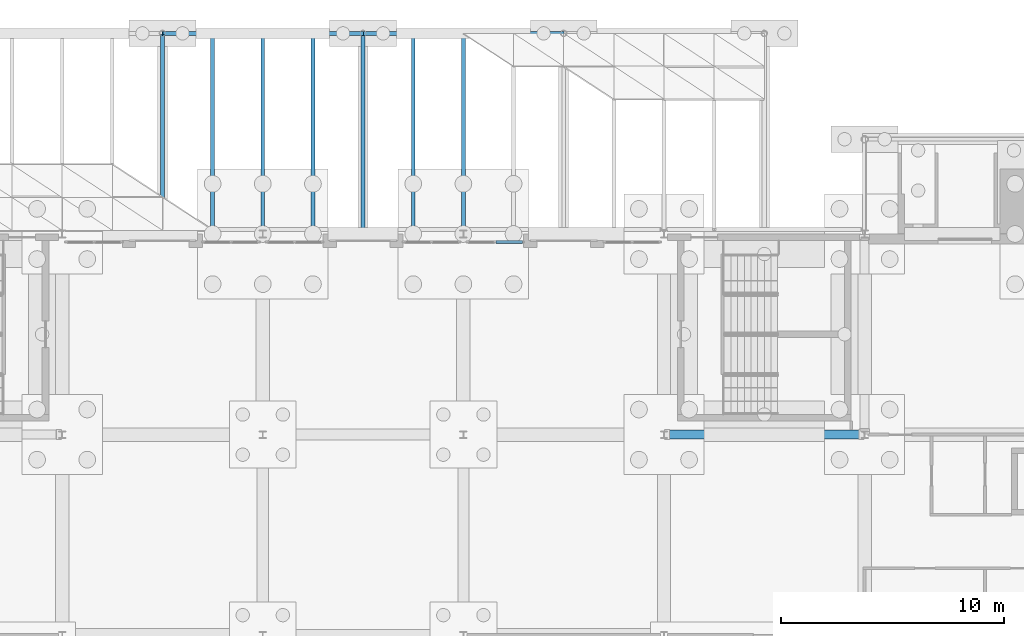
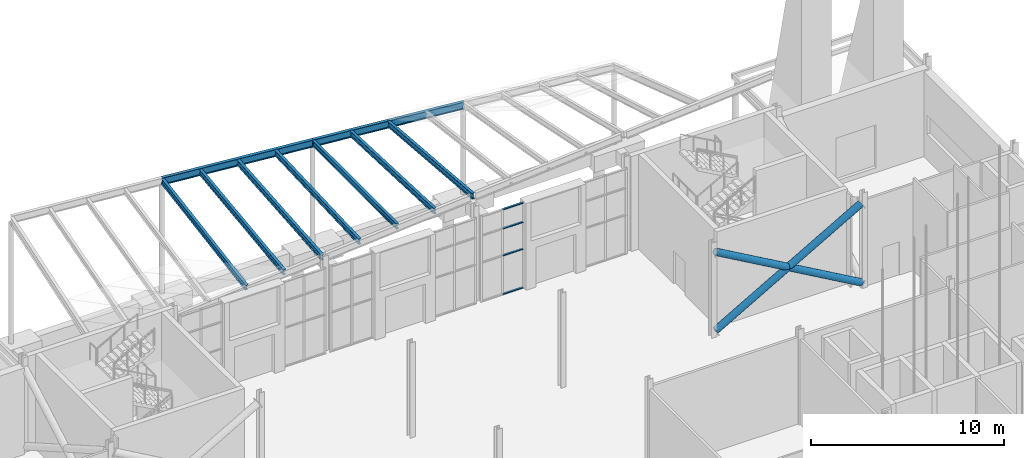
# One storey, part 75 of 139: 9 beams, 6 members, 1 element without a shape of its own.
"""IFC4 building model written with IfcOpenShell, lengths in metres."""

from ifc_helpers import new_model, si_unit, direction, frame, origin, origin_2d, place, context, subcontext, project, spatial, hollow_rectangle, hollow_circle, i_section, extrude, material, layer, layer_set, material_profile, profile_set, type_object, element, aggregate, save


model = new_model("IFC4")

# Units and contexts
model_context = context("Model", 3, precision=1e-05, world=origin(), true_north=direction((0.0, 1.0)))
body_context = subcontext(model_context, "Body", "Model", "MODEL_VIEW")
ifc_project = project(units=[si_unit("LENGTHUNIT", "METRE"), si_unit("AREAUNIT", "SQUARE_METRE"), si_unit("VOLUMEUNIT", "CUBIC_METRE"), si_unit("PLANEANGLEUNIT", "RADIAN"), si_unit("MASSUNIT", "GRAM", prefix="KILO")], contexts=[model_context])

# Site, building, storey
site_placement = place(None, origin())
site = spatial("IfcSite", under=ifc_project, at=site_placement, CompositionType="ELEMENT")
building_placement = place(site_placement, origin())
building = spatial("IfcBuilding", under=site, at=building_placement, Name="Shorebreak Coast Museum", CompositionType="ELEMENT")
storey_placement = place(building_placement, origin())
storey = spatial("IfcBuildingStorey", under=building, at=storey_placement, Name="L00", CompositionType="ELEMENT", Elevation=0.0)

# Beams
ifc_material_1 = material(Name="Steel Grade 300", Category="steel")
ifc_material_profile_1 = material_profile(ifc_material_1, i_section(OverallWidth=0.18994140625, OverallDepth=0.453857421875, WebThickness=0.008544921875, FlangeThickness=0.0126953125, FilletRadius=0.011474609375, at=origin_2d()), Name="460UB67.1")
ifc_profile_set_1 = profile_set([ifc_material_profile_1], Name="Steel Grade 300")
beam_type_1 = type_object("IfcBeamType", Name="Canopy edge beam 460UB67.1", PredefinedType="BEAM", material=ifc_profile_set_1)
beam_1_placement = place(storey_placement, frame((76.5, 126.0, 6.763916015625), z_axis=(0.99657478179, 0.0, -0.082696458808), x_axis=(0.0, 1.0, 0.0)))
element("IfcBeam", 1, at=beam_1_placement, inside=storey, type_object=beam_type_1, Name="Canopy edge beam ENT-N span 2", PredefinedType="BEAM", context=body_context, shape_type="SweptSolid", body=[
    extrude(i_section(OverallWidth=0.18994140625, OverallDepth=0.453857421875, WebThickness=0.008544921875, FlangeThickness=0.0126953125, FilletRadius=0.011474609375, at=origin_2d()), origin(), (0.0, 0.0, 1.0), 9.031005859375),
])
beam_2_placement = place(storey_placement, frame((85.5, 126.0, 6.01708984375), z_axis=(0.99651661417, 0.0, -0.083394470343), x_axis=(0.0, 1.0, 0.0)))
element("IfcBeam", 2, at=beam_2_placement, inside=storey, type_object=beam_type_1, Name="Canopy edge beam ENT-N span 3", PredefinedType="BEAM", context=body_context, shape_type="SweptSolid", body=[
    extrude(i_section(OverallWidth=0.18994140625, OverallDepth=0.453857421875, WebThickness=0.008544921875, FlangeThickness=0.0126953125, FilletRadius=0.011474609375, at=origin_2d()), origin(), (0.0, 0.0, 1.0), 9.031494140625),
])
ifc_material_2 = material(Name="Steel Grade 300", Category="steel")
ifc_material_profile_2 = material_profile(ifc_material_2, i_section(OverallWidth=0.1708984375, OverallDepth=0.35205078125, WebThickness=0.0068359375, FlangeThickness=0.009765625, FilletRadius=0.011474609375, at=origin_2d()), Name="360UB44.7")
ifc_profile_set_2 = profile_set([ifc_material_profile_2], Name="Steel Grade 300")
beam_type_2 = type_object("IfcBeamType", Name="Canopy rib 360UB44.7", PredefinedType="BEAM", material=ifc_profile_set_2)
beam_3_placement = place(storey_placement, frame((76.5, 117.20556640625, 5.354248046875), z_axis=(0.0, 0.986390934298, 0.164416923507), x_axis=(-1.0, 0.0, 0.0)))
element("IfcBeam", 3, at=beam_3_placement, inside=storey, type_object=beam_type_2, Name="Canopy rib ENT-N 04", PredefinedType="BEAM", context=body_context, shape_type="SweptSolid", body=[
    extrude(i_section(OverallWidth=0.1708984375, OverallDepth=0.35205078125, WebThickness=0.0068359375, FlangeThickness=0.009765625, FilletRadius=0.011474609375, at=origin_2d()), origin(), (0.0, 0.0, 1.0), 8.8291015625),
])
beam_4_placement = place(storey_placement, frame((78.75, 117.20556640625, 5.534912109375), z_axis=(0.0, 0.992281299943, 0.124007345681), x_axis=(-1.0, 0.0, 0.0)))
element("IfcBeam", 4, at=beam_4_placement, inside=storey, type_object=beam_type_2, Name="Canopy rib ENT-N 05", PredefinedType="BEAM", context=body_context, shape_type="SweptSolid", body=[
    extrude(i_section(OverallWidth=0.1708984375, OverallDepth=0.35205078125, WebThickness=0.0068359375, FlangeThickness=0.009765625, FilletRadius=0.011474609375, at=origin_2d()), origin(), (0.0, 0.0, 1.0), 8.776611328125),
])
beam_5_placement = place(storey_placement, frame((81.0, 117.16357421875, 5.711181640625), z_axis=(0.0, 0.996554955731, 0.082935036071), x_axis=(-1.0, 0.0, 0.0)))
element("IfcBeam", 5, at=beam_5_placement, inside=storey, type_object=beam_type_2, Name="Canopy rib ENT-N 06", PredefinedType="BEAM", context=body_context, shape_type="SweptSolid", body=[
    extrude(i_section(OverallWidth=0.1708984375, OverallDepth=0.35205078125, WebThickness=0.0068359375, FlangeThickness=0.009765625, FilletRadius=0.011474609375, at=origin_2d()), origin(), (0.0, 0.0, 1.0), 8.78125),
])
beam_6_placement = place(storey_placement, frame((83.25, 117.20556640625, 5.89404296875), z_axis=(0.0, 0.999134625752, 0.041593264164), x_axis=(-1.0, 0.0, 0.0)))
element("IfcBeam", 6, at=beam_6_placement, inside=storey, type_object=beam_type_2, Name="Canopy rib ENT-N 07", PredefinedType="BEAM", context=body_context, shape_type="SweptSolid", body=[
    extrude(i_section(OverallWidth=0.1708984375, OverallDepth=0.35205078125, WebThickness=0.0068359375, FlangeThickness=0.009765625, FilletRadius=0.011474609375, at=origin_2d()), origin(), (0.0, 0.0, 1.0), 8.716552734375),
])
beam_7_placement = place(storey_placement, frame((85.5, 117.20556640625, 6.072998046875), z_axis=(0.0, 1.0, 0.0), x_axis=(-1.0, 0.0, 0.0)))
element("IfcBeam", 7, at=beam_7_placement, inside=storey, type_object=beam_type_2, Name="Canopy rib ENT-N 08", PredefinedType="BEAM", context=body_context, shape_type="SweptSolid", body=[
    extrude(i_section(OverallWidth=0.1708984375, OverallDepth=0.35205078125, WebThickness=0.0068359375, FlangeThickness=0.009765625, FilletRadius=0.011474609375, at=origin_2d()), origin(), (0.0, 0.0, 1.0), 8.708984375),
])
beam_8_placement = place(storey_placement, frame((87.75, 117.20556640625, 6.251953125), z_axis=(0.0, 0.999132296243, -0.041649184921), x_axis=(-1.0, 0.0, 0.0)))
element("IfcBeam", 8, at=beam_8_placement, inside=storey, type_object=beam_type_2, Name="Canopy rib ENT-N 09", PredefinedType="BEAM", context=body_context, shape_type="SweptSolid", body=[
    extrude(i_section(OverallWidth=0.1708984375, OverallDepth=0.35205078125, WebThickness=0.0068359375, FlangeThickness=0.009765625, FilletRadius=0.011474609375, at=origin_2d()), origin(), (0.0, 0.0, 1.0), 8.716552734375),
])
beam_9_placement = place(storey_placement, frame((90.0, 117.16357421875, 6.43408203125), z_axis=(0.0, 0.996534244414, -0.083183530278), x_axis=(-1.0, 0.0, 0.0)))
element("IfcBeam", 9, at=beam_9_placement, inside=storey, type_object=beam_type_2, Name="Canopy rib ENT-N 10", PredefinedType="BEAM", context=body_context, shape_type="SweptSolid", body=[
    extrude(i_section(OverallWidth=0.1708984375, OverallDepth=0.35205078125, WebThickness=0.0068359375, FlangeThickness=0.009765625, FilletRadius=0.011474609375, at=origin_2d()), origin(), (0.0, 0.0, 1.0), 8.781494140625),
])

# Curtain wall, members
ifc_material_3 = material(Name="Aluminium", Category="aluminium")
ifc_layer = layer(ifc_material_3, 0.1201171875)
ifc_layer_set = layer_set([ifc_layer], Name="Aluminium")
curtain_wall_type = type_object("IfcCurtainWallType", Name="Entrance sidelight curtain wall", PredefinedType="NOTDEFINED", material=ifc_layer_set)
curtain_wall_placement = place(storey_placement, origin())
curtain_wall = element("IfcCurtainWall", 10, at=curtain_wall_placement, inside=storey, type_object=curtain_wall_type, Name="Entrance glazing ENT-N 9", PredefinedType="NOTDEFINED")
ifc_material_4 = material(Name="Aluminium", Category="aluminium")
ifc_material_profile_3 = material_profile(ifc_material_4, hollow_rectangle(XDim=0.1201171875, YDim=0.050048828125, WallThickness=0.0029296875, at=origin_2d()), Name="AL 50x120 RHS")
ifc_profile_set_3 = profile_set([ifc_material_profile_3], Name="Aluminium")
member_type_1 = type_object("IfcMemberType", Name="Entrance transom 120 x 50", PredefinedType="USERDEFINED", material=ifc_profile_set_3)
member_1_placement = place(storey_placement, frame((91.45263671875, 116.6416015625, 0.06005859375), z_axis=(1.0, 0.0, 0.0), x_axis=(0.0, 1.0, 0.0)))
member_1 = element("IfcMember", 11, at=member_1_placement, type_object=member_type_1, Name="CW2 transom 2.1", ObjectType="TRANSOM", PredefinedType="USERDEFINED", context=body_context, shape_type="SweptSolid", body=[
    extrude(hollow_rectangle(XDim=0.1201171875, YDim=0.050048828125, WallThickness=0.0029296875, at=origin_2d()), origin(), (0.0, 0.0, 1.0), 1.197265625),
])
member_2_placement = place(storey_placement, frame((91.45263671875, 116.6416015625, 2.5), z_axis=(1.0, 0.0, 0.0), x_axis=(0.0, 1.0, 0.0)))
member_2 = element("IfcMember", 12, at=member_2_placement, type_object=member_type_1, Name="CW2 transom 2.2", ObjectType="TRANSOM", PredefinedType="USERDEFINED", context=body_context, shape_type="SweptSolid", body=[
    extrude(hollow_rectangle(XDim=0.1201171875, YDim=0.050048828125, WallThickness=0.0029296875, at=origin_2d()), origin(), (0.0, 0.0, 1.0), 1.197265625),
])
member_3_placement = place(storey_placement, frame((91.45263671875, 116.6416015625, 4.199951171875), z_axis=(1.0, 0.0, 0.0), x_axis=(0.0, 1.0, 0.0)))
member_3 = element("IfcMember", 13, at=member_3_placement, type_object=member_type_1, Name="CW2 transom 2.3", ObjectType="TRANSOM", PredefinedType="USERDEFINED", context=body_context, shape_type="SweptSolid", body=[
    extrude(hollow_rectangle(XDim=0.1201171875, YDim=0.050048828125, WallThickness=0.0029296875, at=origin_2d()), origin(), (0.0, 0.0, 1.0), 1.197265625),
])
member_4_placement = place(storey_placement, frame((91.45263671875, 116.6416015625, 5.406494140625), z_axis=(1.0, 0.0, 0.0), x_axis=(0.0, 1.0, 0.0)))
member_4 = element("IfcMember", 14, at=member_4_placement, type_object=member_type_1, Name="CW2 transom 2.4", ObjectType="TRANSOM", PredefinedType="USERDEFINED", context=body_context, shape_type="SweptSolid", body=[
    extrude(hollow_rectangle(XDim=0.1201171875, YDim=0.050048828125, WallThickness=0.0029296875, at=origin_2d()), origin(), (0.0, 0.0, 1.0), 1.197265625),
])
aggregate(curtain_wall, [member_1, member_2, member_3, member_4])

# Members
ifc_material_5 = material(Name="Steel Grade C350L0", Category="steel")
ifc_material_profile_4 = material_profile(ifc_material_5, hollow_circle(Radius=0.203125, WallThickness=0.0126953125, at=origin_2d()), Name="406.4x12.7 CHS")
ifc_profile_set_4 = profile_set([ifc_material_profile_4], Name="Steel Grade C350L0")
member_type_2 = type_object("IfcMemberType", Name="X-brace 406.4x12.7 CHS", PredefinedType="BRACE", material=ifc_profile_set_4)
for number, where, z_axis, x_axis, name in (
    (15, (99.154541015625, 108.0, 0.300048828125), (0.867872326888, 0.0, 0.496787302798), (0.0, 1.0, 0.0), "X-brace bay 11 L00 diagonal 1"),
    (16, (107.845458984375, 108.0, 0.300048828125), (-0.867872326888, 0.0, 0.496787302798), (0.0, -1.0, 0.0), "X-brace bay 11 L00 diagonal 2"),
):
    element("IfcMember", number, at=place(storey_placement, frame(where, z_axis=z_axis, x_axis=x_axis)), inside=storey, type_object=member_type_2, Name=name, PredefinedType="BRACE", context=body_context, shape_type="SweptSolid", body=[
        extrude(hollow_circle(Radius=0.203125, WallThickness=0.0126953125, at=origin_2d()), origin(), (0.0, 0.0, 1.0), 10.01416015625),
    ])

save(model, "model.ifc")
